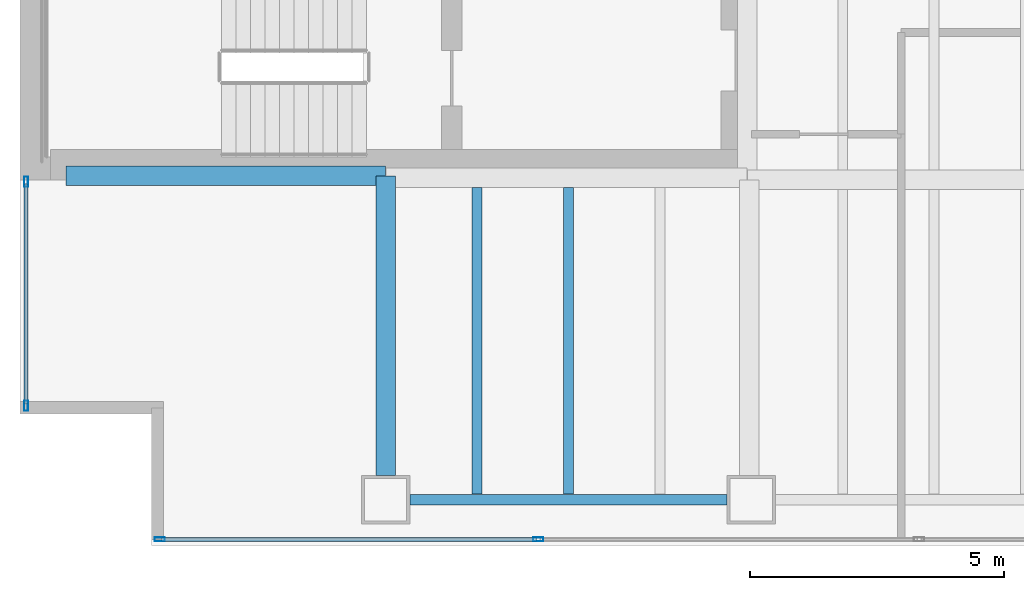
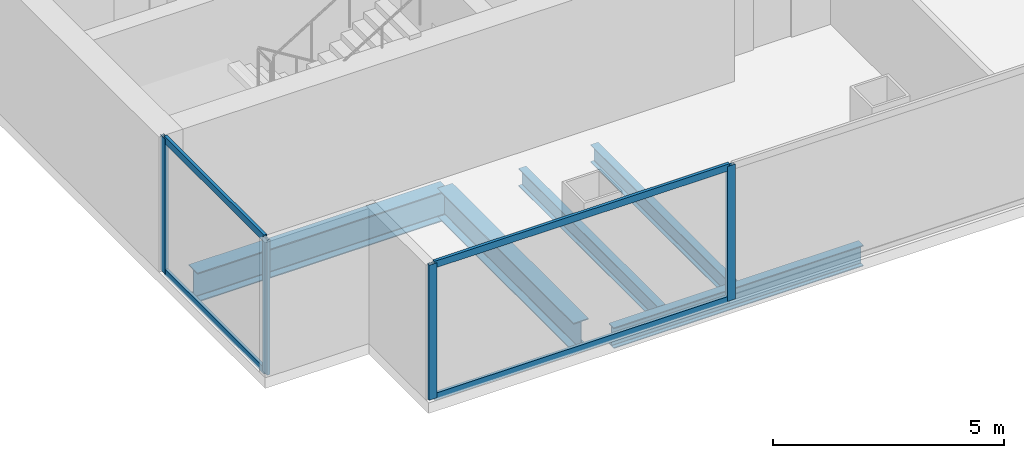
# One storey, part 2 of 24: 8 members, 5 beams, 2 elements without a shape of their own.
"""IFC4 building model written with IfcOpenShell, lengths in metres."""

from ifc_helpers import new_model, si_unit, direction, frame, origin, origin_2d, place, context, subcontext, project, spatial, hollow_rectangle, i_section, extrude, material, material_profile, profile_set, type_object, element, aggregate, save


model = new_model("IFC4")

# Units and contexts
model_context = context("Model", 3, precision=1e-05, world=origin(), true_north=direction((0.0, 1.0)))
body_context = subcontext(model_context, "Body", "Model", "MODEL_VIEW")
ifc_project = project(units=[si_unit("LENGTHUNIT", "METRE"), si_unit("AREAUNIT", "SQUARE_METRE"), si_unit("VOLUMEUNIT", "CUBIC_METRE"), si_unit("PLANEANGLEUNIT", "RADIAN"), si_unit("MASSUNIT", "GRAM", prefix="KILO")], contexts=[model_context])

# Site, building, storey
site_placement = place(None, origin())
site = spatial("IfcSite", under=ifc_project, at=site_placement, CompositionType="ELEMENT")
building_placement = place(site_placement, origin())
building = spatial("IfcBuilding", under=site, at=building_placement, Name="Cobrela Telecom Tower", CompositionType="ELEMENT")
storey_placement = place(building_placement, frame((0.0, 0.0, 85.050048828125)))
storey = spatial("IfcBuildingStorey", under=building, at=storey_placement, Name="L21", CompositionType="ELEMENT", Elevation=85.050048828125)

# Beams
ifc_material_1 = material(Name="Steel ASTM A992 Grade 50", Category="steel")
ifc_material_profile_1 = material_profile(ifc_material_1, i_section(OverallWidth=0.381103515625, OverallDepth=0.77197265625, WebThickness=0.0166015625, FlangeThickness=0.027099609375, FilletRadius=0.01904296875, at=origin_2d()), Name="W30X173")
ifc_profile_set_1 = profile_set([ifc_material_profile_1], Name="Steel ASTM A992 Grade 50")
beam_type_1 = type_object("IfcBeamType", Name="BM-GIRD-04", PredefinedType="USERDEFINED", material=ifc_profile_set_1)
beam_1_placement = place(storey_placement, frame((0.905029296875, 7.280029296875, -0.666015625), z_axis=(1.0, 0.0, 0.0), x_axis=(0.0, 1.0, 0.0)))
element("IfcBeam", 1, at=beam_1_placement, inside=storey, type_object=beam_type_1, Name="L21 Primary Girder X06", ObjectType="GIRDER", PredefinedType="USERDEFINED", context=body_context, shape_type="SweptSolid", body=[
    extrude(i_section(OverallWidth=0.381103515625, OverallDepth=0.77197265625, WebThickness=0.0166015625, FlangeThickness=0.027099609375, FilletRadius=0.01904296875, at=origin_2d()), origin(), (0.0, 0.0, 1.0), 6.2900390625),
])
beam_2_placement = place(storey_placement, frame((7.199951171875, 1.3798828125, -0.666015625), z_axis=(0.0, 1.0, 0.0), x_axis=(-1.0, 0.0, 0.0)))
element("IfcBeam", 2, at=beam_2_placement, inside=storey, type_object=beam_type_1, Name="L21 Primary Girder Y32", ObjectType="GIRDER", PredefinedType="USERDEFINED", context=body_context, shape_type="SweptSolid", body=[
    extrude(i_section(OverallWidth=0.381103515625, OverallDepth=0.77197265625, WebThickness=0.0166015625, FlangeThickness=0.027099609375, FilletRadius=0.01904296875, at=origin_2d()), origin(), (0.0, 0.0, 1.0), 5.89501953125),
])
ifc_material_profile_2 = material_profile(ifc_material_1, i_section(OverallWidth=0.193115234375, OverallDepth=0.467041015625, WebThickness=0.011474609375, FlangeThickness=0.01904296875, FilletRadius=0.012939453125, at=origin_2d()), Name="W18X65")
ifc_profile_set_2 = profile_set([ifc_material_profile_2], Name="Steel ASTM A992 Grade 50")
beam_type_2 = type_object("IfcBeamType", Name="BM-JOIST-03", PredefinedType="JOIST", material=ifc_profile_set_2)
for number, where, z_axis, x_axis, name in (
    (3, (9.0, 1.011474609375, -0.513427734375), (0.0, 1.0, 0.0), (-1.0, 0.0, 0.0), "L21 Secondary Composite Floor Beam J01"),
    (4, (10.800048828125, 1.011474609375, -0.513427734375), (0.0, 1.0, 0.0), (-1.0, 0.0, 0.0), "L21 Secondary Composite Floor Beam J03"),
):
    element("IfcBeam", number, at=place(storey_placement, frame(where, z_axis=z_axis, x_axis=x_axis)), inside=storey, type_object=beam_type_2, Name=name, PredefinedType="JOIST", context=body_context, shape_type="SweptSolid", body=[
        extrude(i_section(OverallWidth=0.193115234375, OverallDepth=0.467041015625, WebThickness=0.011474609375, FlangeThickness=0.01904296875, FilletRadius=0.012939453125, at=origin_2d()), origin(), (0.0, 0.0, 1.0), 6.032958984375),
    ])
ifc_material_profile_3 = material_profile(ifc_material_1, i_section(OverallWidth=0.212890625, OverallDepth=0.549072265625, WebThickness=0.0146484375, FlangeThickness=0.023681640625, FilletRadius=0.013916015625, at=origin_2d()), Name="W21X93")
ifc_profile_set_3 = profile_set([ifc_material_profile_3], Name="Steel ASTM A992 Grade 50")
beam_type_3 = type_object("IfcBeamType", Name="BM-SPAND-03", PredefinedType="SPANDREL", material=ifc_profile_set_3)
beam_3_placement = place(storey_placement, frame((7.679931640625, 0.89990234375, -0.554443359375), z_axis=(1.0, 0.0, 0.0), x_axis=(0.0, 1.0, 0.0)))
element("IfcBeam", 5, at=beam_3_placement, inside=storey, type_object=beam_type_3, Name="L21 Perimeter Spandrel X01", PredefinedType="SPANDREL", context=body_context, shape_type="SweptSolid", body=[
    extrude(i_section(OverallWidth=0.212890625, OverallDepth=0.549072265625, WebThickness=0.0146484375, FlangeThickness=0.023681640625, FilletRadius=0.013916015625, at=origin_2d()), origin(), (0.0, 0.0, 1.0), 6.239990234375),
])

# Curtain wall, members
ifc_material_2 = material(Name="Anodized Bronze Aluminium 6063-T6", Category="aluminium")
curtain_wall_type = type_object("IfcCurtainWallType", Name="CW-SYS-DATA", PredefinedType="USERDEFINED", material=ifc_material_2)
curtain_wall_1_placement = place(storey_placement, origin())
curtain_wall_1 = element("IfcCurtainWall", 6, at=curtain_wall_1_placement, inside=storey, type_object=curtain_wall_type, Name="L21 Unitised Bronze Curtain Wall 03", ObjectType="UNITISED CURTAIN WALL", PredefinedType="USERDEFINED")
ifc_material_profile_4 = material_profile(ifc_material_2, hollow_rectangle(XDim=0.080078125, YDim=0.199951171875, WallThickness=0.00390625, at=origin_2d()), Name="ALU 80x200x4")
ifc_profile_set_4 = profile_set([ifc_material_profile_4], Name="Anodized Bronze Aluminium 6063-T6")
member_type_1 = type_object("IfcMemberType", Name="CW-SYS-DATA-MUL", PredefinedType="MULLION", material=ifc_profile_set_4)
member_1_placement = place(storey_placement, frame((0.1201171875, 2.75, 0.0), z_axis=(0.0, 0.0, 1.0), x_axis=(-1.0, 0.0, 0.0)))
member_1 = element("IfcMember", 7, at=member_1_placement, type_object=member_type_1, Name="CW-DATA mullion 1", PredefinedType="MULLION", context=body_context, shape_type="SweptSolid", body=[
    extrude(hollow_rectangle(XDim=0.080078125, YDim=0.199951171875, WallThickness=0.00390625, at=origin_2d()), origin(), (0.0, 0.0, 1.0), 3.570068359375),
])
member_2_placement = place(storey_placement, frame((0.1201171875, 7.159912109375, 0.0), z_axis=(0.0, 0.0, 1.0), x_axis=(-1.0, 0.0, 0.0)))
member_2 = element("IfcMember", 8, at=member_2_placement, type_object=member_type_1, Name="CW-DATA mullion 2", PredefinedType="MULLION", context=body_context, shape_type="SweptSolid", body=[
    extrude(hollow_rectangle(XDim=0.080078125, YDim=0.199951171875, WallThickness=0.00390625, at=origin_2d()), origin(), (0.0, 0.0, 1.0), 3.570068359375),
])

curtain_wall_2_placement = place(storey_placement, origin())
curtain_wall_2 = element("IfcCurtainWall", 9, at=curtain_wall_2_placement, inside=storey, type_object=curtain_wall_type, Name="L21 Unitised Bronze Curtain Wall 17", ObjectType="UNITISED CURTAIN WALL", PredefinedType="USERDEFINED")
member_3_placement = place(storey_placement, frame((10.206787109375, 0.1201171875, 0.0), z_axis=(0.0, 0.0, 1.0), x_axis=(0.0, -1.0, 0.0)))
member_3 = element("IfcMember", 10, at=member_3_placement, type_object=member_type_1, Name="CW-DATA mullion 6", PredefinedType="MULLION", context=body_context, shape_type="SweptSolid", body=[
    extrude(hollow_rectangle(XDim=0.080078125, YDim=0.199951171875, WallThickness=0.00390625, at=origin_2d()), origin(), (0.0, 0.0, 1.0), 3.570068359375),
])
member_4_placement = place(storey_placement, frame((2.75, 0.1201171875, 0.0), z_axis=(0.0, 0.0, 1.0), x_axis=(0.0, -1.0, 0.0)))
member_4 = element("IfcMember", 11, at=member_4_placement, type_object=member_type_1, Name="CW-DATA mullion 7", PredefinedType="MULLION", context=body_context, shape_type="SweptSolid", body=[
    extrude(hollow_rectangle(XDim=0.080078125, YDim=0.199951171875, WallThickness=0.00390625, at=origin_2d()), origin(), (0.0, 0.0, 1.0), 3.570068359375),
])

# Member
ifc_material_profile_5 = material_profile(ifc_material_2, hollow_rectangle(XDim=0.074951171875, YDim=0.179931640625, WallThickness=0.00390625, at=origin_2d()), Name="ALU 75x180x4")
ifc_profile_set_5 = profile_set([ifc_material_profile_5], Name="Anodized Bronze Aluminium 6063-T6")
member_type_2 = type_object("IfcMemberType", Name="CW-SYS-DATA-TRN", PredefinedType="USERDEFINED", material=ifc_profile_set_5)
member_5_placement = place(storey_placement, frame((0.1201171875, 2.7900390625, 0.037353515625), z_axis=(0.0, 1.0, 0.0), x_axis=(-1.0, 0.0, 0.0)))
member_5 = element("IfcMember", 12, at=member_5_placement, type_object=member_type_2, Name="CW-DATA transom 1.1", ObjectType="TRANSOM", PredefinedType="USERDEFINED", context=body_context, shape_type="SweptSolid", body=[
    extrude(hollow_rectangle(XDim=0.074951171875, YDim=0.179931640625, WallThickness=0.00390625, at=origin_2d()), origin(), (0.0, 0.0, 1.0), 4.330078125),
])

member_6_placement = place(storey_placement, frame((0.1201171875, 2.7900390625, 3.532470703125), z_axis=(0.0, 1.0, 0.0), x_axis=(-1.0, 0.0, 0.0)))
member_6 = element("IfcMember", 13, at=member_6_placement, type_object=member_type_2, Name="CW-DATA transom 1.2", ObjectType="TRANSOM", PredefinedType="USERDEFINED", context=body_context, shape_type="SweptSolid", body=[
    extrude(hollow_rectangle(XDim=0.074951171875, YDim=0.179931640625, WallThickness=0.00390625, at=origin_2d()), origin(), (0.0, 0.0, 1.0), 4.330078125),
])

aggregate(curtain_wall_1, [member_1, member_2, member_5, member_6])

member_7_placement = place(storey_placement, frame((10.166748046875, 0.1201171875, 0.037353515625), z_axis=(-1.0, 0.0, 0.0), x_axis=(0.0, -1.0, 0.0)))
member_7 = element("IfcMember", 14, at=member_7_placement, type_object=member_type_2, Name="CW-DATA transom 6.1", ObjectType="TRANSOM", PredefinedType="USERDEFINED", context=body_context, shape_type="SweptSolid", body=[
    extrude(hollow_rectangle(XDim=0.074951171875, YDim=0.179931640625, WallThickness=0.00390625, at=origin_2d()), origin(), (0.0, 0.0, 1.0), 7.376708984375),
])

member_8_placement = place(storey_placement, frame((10.166748046875, 0.1201171875, 3.532470703125), z_axis=(-1.0, 0.0, 0.0), x_axis=(0.0, -1.0, 0.0)))
member_8 = element("IfcMember", 15, at=member_8_placement, type_object=member_type_2, Name="CW-DATA transom 6.2", ObjectType="TRANSOM", PredefinedType="USERDEFINED", context=body_context, shape_type="SweptSolid", body=[
    extrude(hollow_rectangle(XDim=0.074951171875, YDim=0.179931640625, WallThickness=0.00390625, at=origin_2d()), origin(), (0.0, 0.0, 1.0), 7.376708984375),
])

aggregate(curtain_wall_2, [member_3, member_4, member_7, member_8])

save(model, "model.ifc")
